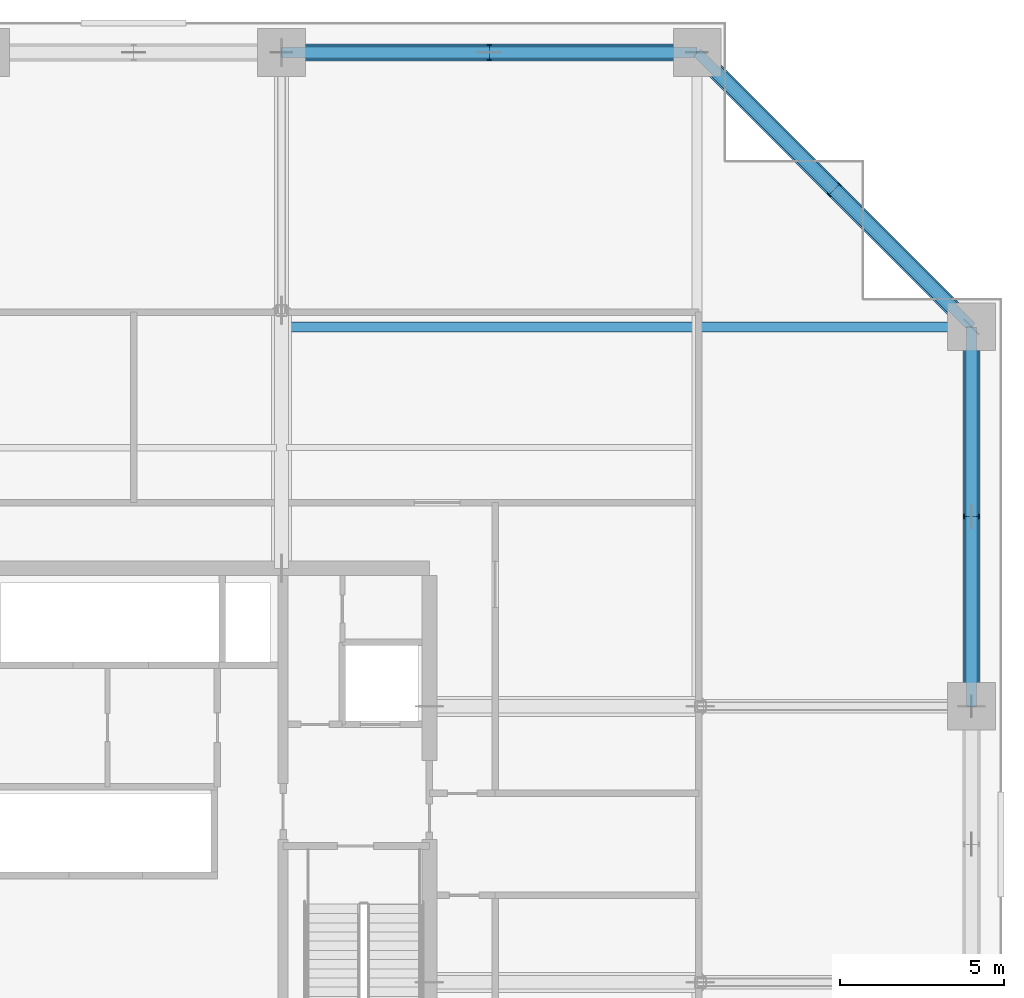
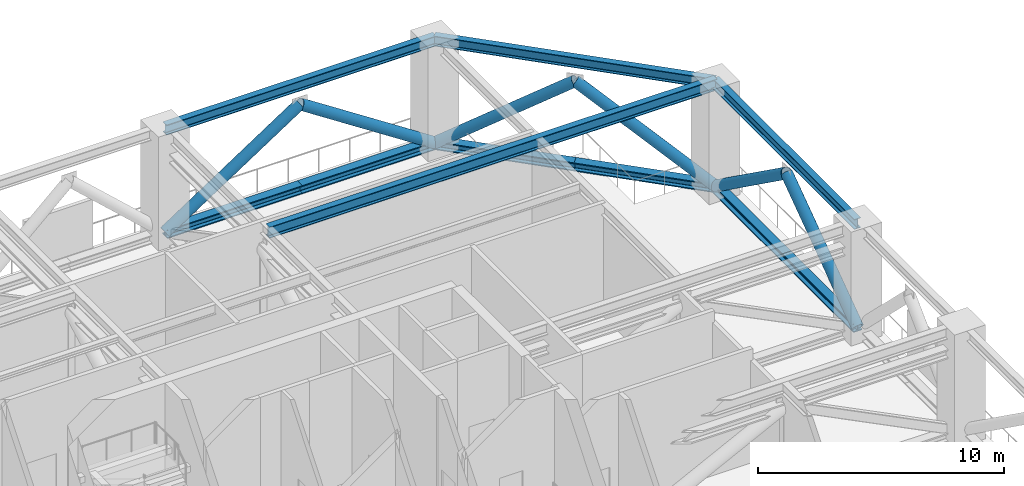
# One storey, part 5 of 21: 12 members, 4 beams.
"""IFC4 building model written with IfcOpenShell, lengths in metres."""

from ifc_helpers import new_model, si_unit, direction, frame, origin, origin_2d, place, context, subcontext, project, spatial, hollow_circle, i_section, extrude, source, transform, mapped, material, material_profile, profile_set, type_object, element, save


model = new_model("IFC4")

# Units and contexts
model_context = context("Model", 3, precision=1e-05, world=origin(), true_north=direction((0.0, 1.0)))
body_context = subcontext(model_context, "Body", "Model", "MODEL_VIEW")
ifc_project = project(units=[si_unit("LENGTHUNIT", "METRE"), si_unit("AREAUNIT", "SQUARE_METRE"), si_unit("VOLUMEUNIT", "CUBIC_METRE"), si_unit("PLANEANGLEUNIT", "RADIAN"), si_unit("MASSUNIT", "GRAM", prefix="KILO")], contexts=[model_context])

# Site, building, storey
site_placement = place(None, origin())
site = spatial("IfcSite", under=ifc_project, at=site_placement, CompositionType="ELEMENT")
building_placement = place(site_placement, origin())
building = spatial("IfcBuilding", under=site, at=building_placement, Name="Serunith Strait Residences", CompositionType="ELEMENT")
storey_placement = place(building_placement, frame((0.0, 0.0, 109.199951171875)))
storey = spatial("IfcBuildingStorey", under=building, at=storey_placement, Name="L27", CompositionType="ELEMENT", Elevation=109.199951171875)

# Beams
ifc_material_1 = material(Name="Steel S355J2", Category="steel")
ifc_material_profile_1 = material_profile(ifc_material_1, i_section(OverallWidth=0.300048828125, OverallDepth=0.550048828125, WebThickness=0.014892578125, FlangeThickness=0.029052734375, FilletRadius=0.027099609375, at=origin_2d()), Name="HEB 550")
ifc_profile_set_1 = profile_set([ifc_material_profile_1], Name="Steel S355J2")
beam_type_1 = type_object("IfcBeamType", Name="BM-HEB550", PredefinedType="BEAM", material=ifc_profile_set_1)
shared_shape_1 = source(origin(), body_context, "Body", "SweptSolid", [
    extrude(i_section(OverallWidth=0.300048828125, OverallDepth=0.550048828125, WebThickness=0.014892578125, FlangeThickness=0.029052734375, FilletRadius=0.027099609375, at=origin_2d()), origin(), (0.0, 0.0, 1.0), 21.0),
])
beam_1_placement = place(storey_placement, frame((36.89990234375, 40.949951171875, 5.362060546875), z_axis=(1.0, 0.0, 0.0), x_axis=(0.0, 1.0, 0.0)))
element("IfcBeam", 1, at=beam_1_placement, inside=storey, type_object=beam_type_1, Name="L27 Orthogonal Corner Girder TC-E4", PredefinedType="BEAM", context=body_context, shape_type="MappedRepresentation", body=[
    mapped(shared_shape_1, transform((0.0, 0.0, 0.0), scale=1.0)),
])
ifc_material_profile_2 = material_profile(ifc_material_1, i_section(OverallWidth=0.300048828125, OverallDepth=0.5, WebThickness=0.014404296875, FlangeThickness=0.028076171875, FilletRadius=0.027099609375, at=origin_2d()), Name="HEB 500")
ifc_profile_set_2 = profile_set([ifc_material_profile_2], Name="Steel S355J2")
beam_type_2 = type_object("IfcBeamType", Name="BM-HEB500", PredefinedType="BEAM", material=ifc_profile_set_2)
shared_shape_2 = source(origin(), body_context, "Body", "SweptSolid", [
    extrude(i_section(OverallWidth=0.300048828125, OverallDepth=0.5, WebThickness=0.014404296875, FlangeThickness=0.028076171875, FilletRadius=0.027099609375, at=origin_2d()), origin(), (0.0, 0.0, 1.0), 12.650146484375),
])
beam_2_placement = place(storey_placement, frame((49.550048828125, 49.300048828125, 5.386962890625), z_axis=(-1.0, 0.0, 0.0), x_axis=(0.0, -1.0, 0.0)))
element("IfcBeam", 2, at=beam_2_placement, inside=storey, type_object=beam_type_2, Name="L27 Perimeter Ring Beam 09", PredefinedType="BEAM", context=body_context, shape_type="MappedRepresentation", body=[
    mapped(shared_shape_2, transform((0.0, 0.0, 0.0), scale=1.0)),
])
shared_shape_3 = source(origin(), body_context, "Body", "SweptSolid", [
    extrude(i_section(OverallWidth=0.300048828125, OverallDepth=0.5, WebThickness=0.014404296875, FlangeThickness=0.028076171875, FilletRadius=0.027099609375, at=origin_2d()), origin(), (0.0, 0.0, 1.0), 11.80859375),
])
beam_3_placement = place(storey_placement, frame((57.89990234375, 40.949951171875, 5.386962890625), z_axis=(-0.707096443746, 0.707117118476, 0.0), x_axis=(-0.707117118476, -0.707096443746, 0.0)))
element("IfcBeam", 3, at=beam_3_placement, inside=storey, type_object=beam_type_2, Name="L27 Perimeter Ring Beam 08", PredefinedType="BEAM", context=body_context, shape_type="MappedRepresentation", body=[
    mapped(shared_shape_3, transform((0.0, 0.0, 0.0), scale=1.0)),
])
shared_shape_4 = source(origin(), body_context, "Body", "SweptSolid", [
    extrude(i_section(OverallWidth=0.300048828125, OverallDepth=0.5, WebThickness=0.014404296875, FlangeThickness=0.028076171875, FilletRadius=0.027099609375, at=origin_2d()), origin(), (0.0, 0.0, 1.0), 11.550048828125),
])
beam_4_placement = place(storey_placement, frame((57.89990234375, 29.39990234375, 5.386962890625), z_axis=(0.0, 1.0, 0.0), x_axis=(-1.0, 0.0, 0.0)))
element("IfcBeam", 4, at=beam_4_placement, inside=storey, type_object=beam_type_2, Name="L27 Perimeter Ring Beam 07", PredefinedType="BEAM", context=body_context, shape_type="MappedRepresentation", body=[
    mapped(shared_shape_4, transform((0.0, 0.0, 0.0), scale=1.0)),
])

# Members
ifc_material_2 = material(Name="Steel S460M", Category="steel")
ifc_material_profile_3 = material_profile(ifc_material_2, i_section(OverallWidth=0.406005859375, OverallDepth=0.416015625, WebThickness=0.02978515625, FlangeThickness=0.048095703125, FilletRadius=0.014892578125, at=origin_2d()), Name="HD 400x382")
ifc_profile_set_3 = profile_set([ifc_material_profile_3], Name="Steel S460M")
member_type_1 = type_object("IfcMemberType", Name="MBR-CHORD-HD382", PredefinedType="CHORD", material=ifc_profile_set_3)
shared_shape_5 = source(origin(), body_context, "Body", "SweptSolid", [
    extrude(i_section(OverallWidth=0.406005859375, OverallDepth=0.416015625, WebThickness=0.02978515625, FlangeThickness=0.048095703125, FilletRadius=0.014892578125, at=origin_2d()), origin(), (0.0, 0.0, 1.0), 6.324951171875),
])
member_1_placement = place(storey_placement, frame((49.550048828125, 49.300048828125, 0.25), z_axis=(-1.0, 0.0, 0.0), x_axis=(0.0, -1.0, 0.0)))
element("IfcMember", 5, at=member_1_placement, inside=storey, type_object=member_type_1, Name="L27 Belt Truss Bay 09 Chord A", PredefinedType="CHORD", context=body_context, shape_type="MappedRepresentation", body=[
    mapped(shared_shape_5, transform((0.0, 0.0, 0.0), scale=1.0)),
])
ifc_material_profile_4 = material_profile(ifc_material_2, hollow_circle(Radius=0.25390625, WallThickness=0.02001953125, at=origin_2d()), Name="CHS 508x20")
ifc_profile_set_4 = profile_set([ifc_material_profile_4], Name="Steel S460M")
member_type_2 = type_object("IfcMemberType", Name="MBR-DIAG-CHS508", PredefinedType="BRACE", material=ifc_profile_set_4)
shared_shape_6 = source(origin(), body_context, "Body", "SweptSolid", [
    extrude(hollow_circle(Radius=0.25390625, WallThickness=0.02001953125, at=origin_2d()), origin(), (0.0, 0.0, 1.0), 7.5595703125),
])
for number, where, z_axis, x_axis, name in (
    (6, (49.550048828125, 49.300048828125, 0.25), (-0.836691292063, 0.0, 0.547674795646), (0.0, -1.0, 0.0), "L27 Belt Truss Bay 09 Diagonal 1"),
    (7, (36.89990234375, 49.300048828125, 0.25), (0.836700978767, 0.0, 0.547659996832), (0.0, 1.0, 0.0), "L27 Belt Truss Bay 09 Diagonal 2"),
):
    element("IfcMember", number, at=place(storey_placement, frame(where, z_axis=z_axis, x_axis=x_axis)), inside=storey, type_object=member_type_2, Name=name, PredefinedType="BRACE", context=body_context, shape_type="MappedRepresentation", body=[
        mapped(shared_shape_6, transform((0.0, 0.0, 0.0), scale=1.0)),
    ])
shared_shape_7 = source(origin(), body_context, "Body", "SweptSolid", [
    extrude(i_section(OverallWidth=0.406005859375, OverallDepth=0.416015625, WebThickness=0.02978515625, FlangeThickness=0.048095703125, FilletRadius=0.014892578125, at=origin_2d()), origin(), (0.0, 0.0, 1.0), 6.3251953125),
])
member_2_placement = place(storey_placement, frame((43.22509765625, 49.300048828125, 0.25), z_axis=(-1.0, 0.0, 0.0), x_axis=(0.0, -1.0, 0.0)))
element("IfcMember", 8, at=member_2_placement, inside=storey, type_object=member_type_1, Name="L27 Belt Truss Bay 09 Chord B", PredefinedType="CHORD", context=body_context, shape_type="MappedRepresentation", body=[
    mapped(shared_shape_7, transform((0.0, 0.0, 0.0), scale=1.0)),
])
shared_shape_8 = source(origin(), body_context, "Body", "SweptSolid", [
    extrude(i_section(OverallWidth=0.406005859375, OverallDepth=0.416015625, WebThickness=0.02978515625, FlangeThickness=0.048095703125, FilletRadius=0.014892578125, at=origin_2d()), origin(), (0.0, 0.0, 1.0), 5.904296875),
])
for number, where, z_axis, x_axis, name in (
    (9, (57.89990234375, 40.949951171875, 0.25), (-0.707086105852, 0.707127455917, 0.0), (-0.707127455917, -0.707086105852, 0.0), "L27 Belt Truss Bay 08 Chord A"),
    (10, (53.72509765625, 45.125, 0.25), (-0.707106781187, 0.707106781187, 0.0), (-0.707106781187, -0.707106781187, 0.0), "L27 Belt Truss Bay 08 Chord B"),
):
    element("IfcMember", number, at=place(storey_placement, frame(where, z_axis=z_axis, x_axis=x_axis)), inside=storey, type_object=member_type_1, Name=name, PredefinedType="CHORD", context=body_context, shape_type="MappedRepresentation", body=[
        mapped(shared_shape_8, transform((0.0, 0.0, 0.0), scale=1.0)),
    ])
shared_shape_9 = source(origin(), body_context, "Body", "SweptSolid", [
    extrude(hollow_circle(Radius=0.25390625, WallThickness=0.02001953125, at=origin_2d()), origin(), (0.0, 0.0, 1.0), 7.211181640625),
])
for number, where, z_axis, x_axis, name in (
    (11, (57.89990234375, 40.949951171875, 0.25), (-0.578937020029, 0.578970875995, 0.574129472845), (-0.707127455917, -0.707086105852, 0.0), "L27 Belt Truss Bay 08 Diagonal 1"),
    (12, (49.550048828125, 49.300048828125, 0.25), (0.578959527894, -0.578959527894, 0.574118219638), (0.707106781187, 0.707106781187, 0.0), "L27 Belt Truss Bay 08 Diagonal 2"),
):
    element("IfcMember", number, at=place(storey_placement, frame(where, z_axis=z_axis, x_axis=x_axis)), inside=storey, type_object=member_type_2, Name=name, PredefinedType="BRACE", context=body_context, shape_type="MappedRepresentation", body=[
        mapped(shared_shape_9, transform((0.0, 0.0, 0.0), scale=1.0)),
    ])
shared_shape_10 = source(origin(), body_context, "Body", "SweptSolid", [
    extrude(i_section(OverallWidth=0.406005859375, OverallDepth=0.416015625, WebThickness=0.02978515625, FlangeThickness=0.048095703125, FilletRadius=0.014892578125, at=origin_2d()), origin(), (0.0, 0.0, 1.0), 5.775146484375),
])
member_3_placement = place(storey_placement, frame((57.89990234375, 29.39990234375, 0.25), z_axis=(0.0, 1.0, 0.0), x_axis=(-1.0, 0.0, 0.0)))
element("IfcMember", 13, at=member_3_placement, inside=storey, type_object=member_type_1, Name="L27 Belt Truss Bay 07 Chord A", PredefinedType="CHORD", context=body_context, shape_type="MappedRepresentation", body=[
    mapped(shared_shape_10, transform((0.0, 0.0, 0.0), scale=1.0)),
])
shared_shape_11 = source(origin(), body_context, "Body", "SweptSolid", [
    extrude(i_section(OverallWidth=0.406005859375, OverallDepth=0.416015625, WebThickness=0.02978515625, FlangeThickness=0.048095703125, FilletRadius=0.014892578125, at=origin_2d()), origin(), (0.0, 0.0, 1.0), 5.77490234375),
])
member_4_placement = place(storey_placement, frame((57.89990234375, 35.175048828125, 0.25), z_axis=(0.0, 1.0, 0.0), x_axis=(-1.0, 0.0, 0.0)))
element("IfcMember", 14, at=member_4_placement, inside=storey, type_object=member_type_1, Name="L27 Belt Truss Bay 07 Chord B", PredefinedType="CHORD", context=body_context, shape_type="MappedRepresentation", body=[
    mapped(shared_shape_11, transform((0.0, 0.0, 0.0), scale=1.0)),
])
shared_shape_12 = source(origin(), body_context, "Body", "SweptSolid", [
    extrude(hollow_circle(Radius=0.25390625, WallThickness=0.02001953125, at=origin_2d()), origin(), (0.0, 0.0, 1.0), 7.10595703125),
])
member_5_placement = place(storey_placement, frame((57.89990234375, 29.39990234375, 0.25), z_axis=(0.0, 0.812731713217, 0.582638105801), x_axis=(-1.0, 0.0, 0.0)))
element("IfcMember", 15, at=member_5_placement, inside=storey, type_object=member_type_2, Name="L27 Belt Truss Bay 07 Diagonal 1", PredefinedType="BRACE", context=body_context, shape_type="MappedRepresentation", body=[
    mapped(shared_shape_12, transform((0.0, 0.0, 0.0), scale=1.0)),
])
shared_shape_13 = source(origin(), body_context, "Body", "SweptSolid", [
    extrude(hollow_circle(Radius=0.25390625, WallThickness=0.02001953125, at=origin_2d()), origin(), (0.0, 0.0, 1.0), 7.105712890625),
])
member_6_placement = place(storey_placement, frame((57.89990234375, 40.949951171875, 0.25), z_axis=(0.0, -0.812720049413, 0.582654375494), x_axis=(1.0, 0.0, 0.0)))
element("IfcMember", 16, at=member_6_placement, inside=storey, type_object=member_type_2, Name="L27 Belt Truss Bay 07 Diagonal 2", PredefinedType="BRACE", context=body_context, shape_type="MappedRepresentation", body=[
    mapped(shared_shape_13, transform((0.0, 0.0, 0.0), scale=1.0)),
])

save(model, "model.ifc")
